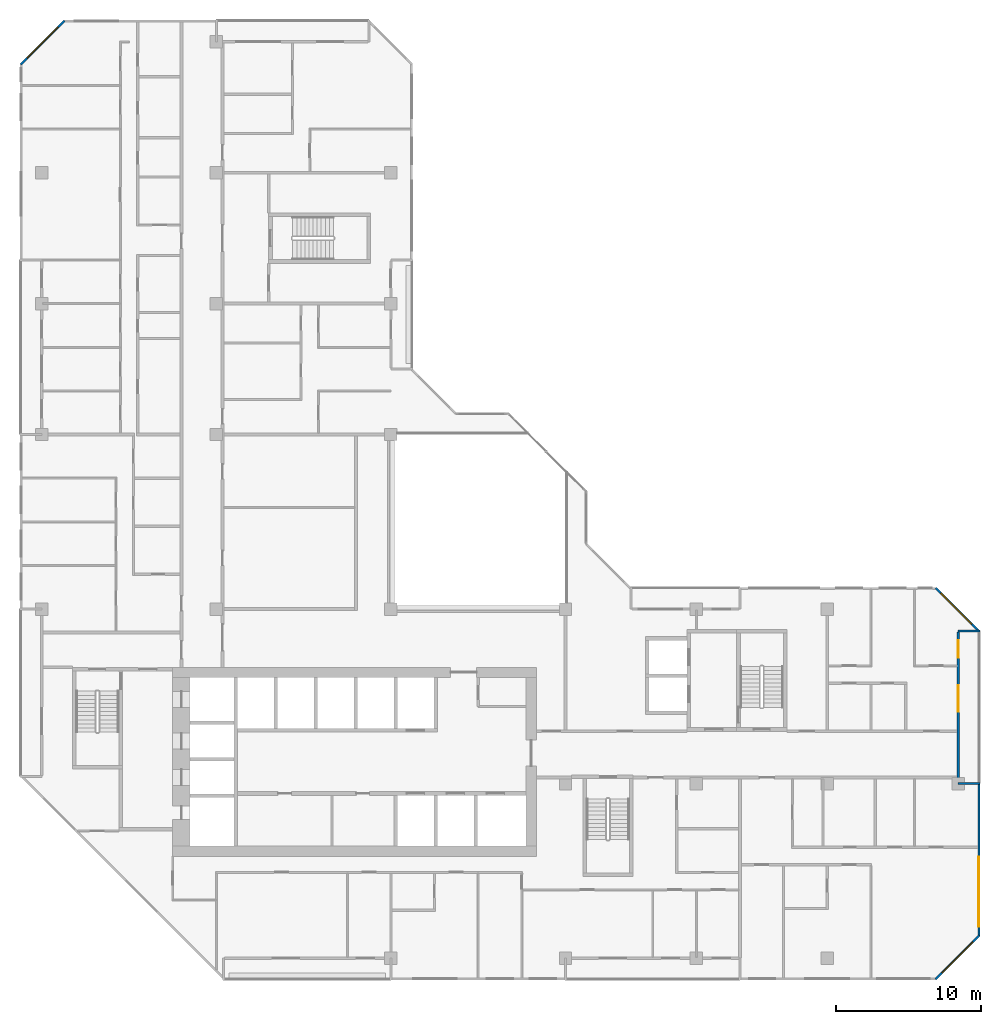
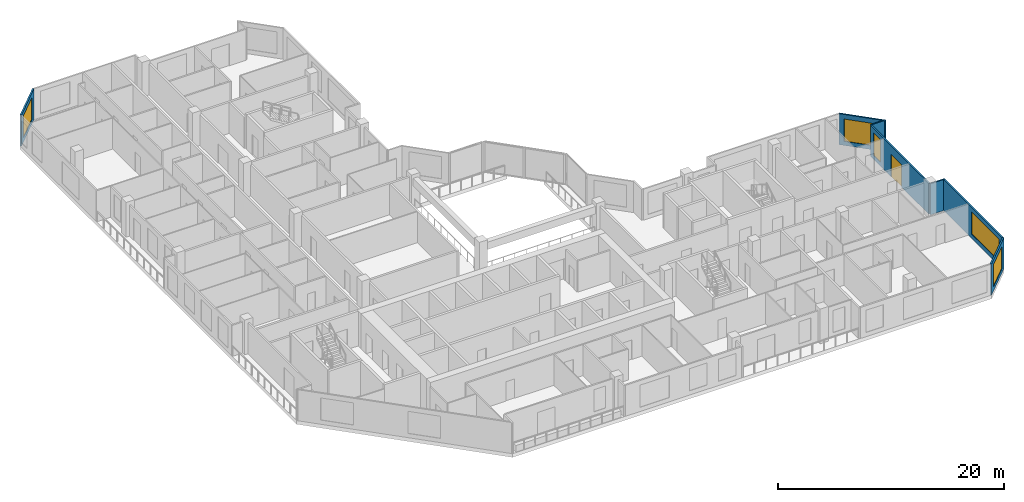
# One storey, part 12 of 15: 7 walls, 5 windows, 1 door, 6 openings.
"""IFC4 building model written with IfcOpenShell, lengths in metres."""

from ifc_helpers import new_model, si_unit, direction, frame, frame_2d, origin, place, context, subcontext, project, spatial, rectangle, extrude, material, layer, layer_set, type_object, element, fill, save


model = new_model("IFC4")

# Units and contexts
model_context = context("Model", 3, precision=1e-05, world=origin(), true_north=direction((0.0, 1.0)))
body_context = subcontext(model_context, "Body", "Model", "MODEL_VIEW")
ifc_project = project(units=[si_unit("LENGTHUNIT", "METRE"), si_unit("AREAUNIT", "SQUARE_METRE"), si_unit("VOLUMEUNIT", "CUBIC_METRE"), si_unit("PLANEANGLEUNIT", "RADIAN"), si_unit("MASSUNIT", "GRAM", prefix="KILO")], contexts=[model_context])

# Site, building, storey
site_placement = place(None, origin())
site = spatial("IfcSite", under=ifc_project, at=site_placement, CompositionType="ELEMENT")
building_placement = place(site_placement, origin())
building = spatial("IfcBuilding", under=site, at=building_placement, Name="Chenar Terraces", CompositionType="ELEMENT")
storey_placement = place(building_placement, frame((0.0, 0.0, 249.14990234375)))
storey = spatial("IfcBuildingStorey", under=building, at=storey_placement, Name="L59", CompositionType="ELEMENT", Elevation=249.14990234375)

# Wall, opening, window
ifc_material_1 = material(Name="Aluminium framed glazing", Category="aluminium")
ifc_layer_1 = layer(ifc_material_1, 0.14990234375)
ifc_layer_set_1 = layer_set([ifc_layer_1], Name="Aluminium framed glazing")
wall_type_1 = type_object("IfcWallType", Name="Glazed flush facade wall 150", PredefinedType="SOLIDWALL", material=ifc_layer_set_1)
wall_1_placement = place(storey_placement, frame((64.425048828125, 1.5, 0.0), z_axis=(0.0, 0.0, 1.0), x_axis=(0.0, 1.0, 0.0)))
wall_1 = element("IfcWall", 1, at=wall_1_placement, inside=storey, type_object=wall_type_1, Name="Glazed flush facade wall", PredefinedType="SOLIDWALL", context=body_context, shape_type="SweptSolid", body=[
    extrude(rectangle(XDim=10.425048828125, YDim=0.14990234375, at=frame_2d((5.21240234375, 0.0))), origin(), (0.0, 0.0, 1.0), 3.35009765625),
])
opening_1_placement = place(wall_1_placement, frame((0.66259765625, 0.0, 0.449951171875)))
opening_1 = element("IfcOpeningElement", 2, at=opening_1_placement, cuts=wall_1, Name="Opening W480x240", PredefinedType="OPENING", context=body_context, shape_type="SweptSolid", body=[
    extrude(rectangle(XDim=4.800048828125, YDim=2.39990234375, at=frame_2d((2.39990234375, 1.199951171875))), frame((0.0, 0.0849609375, 0.0), z_axis=(0.0, -1.0, 0.0), x_axis=(1.0, 0.0, 0.0)), (0.0, 0.0, 1.0), 0.169921875),
])
ifc_material_2 = material(Name="Low emissivity double glazing, aluminium frame", Category="aluminium")
window_type_1 = type_object("IfcWindowType", Name="Fixed light 4800 x 2400", PartitioningType="SINGLE_PANEL", PredefinedType="WINDOW", material=ifc_material_2)
window_1_placement = place(opening_1_placement, origin())
window_1 = element("IfcWindow", 3, at=window_1_placement, inside=storey, type_object=window_type_1, Name="Window", OverallHeight=2.39990234375, OverallWidth=4.800048828125, PartitioningType="SINGLE_PANEL", PredefinedType="WINDOW", context=body_context, shape_type="SweptSolid", body=[
    extrude(rectangle(XDim=4.800048828125, YDim=2.39990234375, at=frame_2d((2.39990234375, 1.199951171875))), frame((0.0, 0.030029296875, 0.0), z_axis=(0.0, -1.0, 0.0), x_axis=(1.0, 0.0, 0.0)), (0.0, 0.0, 1.0), 0.06005859375),
])
fill(opening_1, window_1)

# Wall, openings, window, door
ifc_material_3 = material(Name="Aluminium framed glazing", Category="aluminium")
ifc_layer_2 = layer(ifc_material_3, 0.14990234375)
ifc_layer_set_2 = layer_set([ifc_layer_2], Name="Aluminium framed glazing")
wall_type_2 = type_object("IfcWallType", Name="Glazed loggia back wall 150", PredefinedType="SOLIDWALL", material=ifc_layer_set_2)
wall_2_placement = place(storey_placement, frame((63.0, 12.074951171875, 0.0), z_axis=(0.0, 0.0, 1.0), x_axis=(0.0, 1.0, 0.0)))
wall_2 = element("IfcWall", 4, at=wall_2_placement, inside=storey, type_object=wall_type_2, Name="Glazed loggia back wall", PredefinedType="SOLIDWALL", context=body_context, shape_type="SweptSolid", body=[
    extrude(rectangle(XDim=10.35009765625, YDim=0.14990234375, at=frame_2d((5.175048828125, 0.0))), origin(), (0.0, 0.0, 1.0), 3.35009765625),
])
opening_2_placement = place(wall_2_placement, frame((4.875, 0.0, 0.0)))
opening_2 = element("IfcOpeningElement", 5, at=opening_2_placement, cuts=wall_2, Name="Opening DL59-G7", PredefinedType="OPENING", context=body_context, shape_type="SweptSolid", body=[
    extrude(rectangle(XDim=1.800048828125, YDim=2.39990234375, at=frame_2d((0.89990234375, 1.199951171875))), frame((0.0, 0.0849609375, 0.0), z_axis=(0.0, -1.0, 0.0), x_axis=(1.0, 0.0, 0.0)), (0.0, 0.0, 1.0), 0.169921875),
])
opening_3_placement = place(wall_2_placement, frame((8.58740234375, 0.0, 0.449951171875)))
opening_3 = element("IfcOpeningElement", 6, at=opening_3_placement, cuts=wall_2, Name="Opening W120x240", PredefinedType="OPENING", context=body_context, shape_type="SweptSolid", body=[
    extrude(rectangle(XDim=1.199951171875, YDim=2.39990234375, at=frame_2d((0.60009765625, 1.199951171875))), frame((0.0, 0.0849609375, 0.0), z_axis=(0.0, -1.0, 0.0), x_axis=(1.0, 0.0, 0.0)), (0.0, 0.0, 1.0), 0.169921875),
])
ifc_material_4 = material(Name="Low emissivity double glazing, aluminium frame", Category="aluminium")
window_type_2 = type_object("IfcWindowType", Name="Fixed light 1200 x 2400", PartitioningType="SINGLE_PANEL", PredefinedType="WINDOW", material=ifc_material_4)
window_2_placement = place(opening_3_placement, origin())
window_2 = element("IfcWindow", 7, at=window_2_placement, inside=storey, type_object=window_type_2, Name="Window", OverallHeight=2.39990234375, OverallWidth=1.199951171875, PartitioningType="SINGLE_PANEL", PredefinedType="WINDOW", context=body_context, shape_type="SweptSolid", body=[
    extrude(rectangle(XDim=1.199951171875, YDim=2.39990234375, at=frame_2d((0.60009765625, 1.199951171875))), frame((0.0, 0.030029296875, 0.0), z_axis=(0.0, -1.0, 0.0), x_axis=(1.0, 0.0, 0.0)), (0.0, 0.0, 1.0), 0.06005859375),
])
fill(opening_3, window_2)
ifc_material_5 = material(Name="Low emissivity double glazing, aluminium frame", Category="aluminium")
door_type = type_object("IfcDoorType", Name="Loggia glazed double door 1800 x 2400", OperationType="DOUBLE_DOOR_SINGLE_SWING", PredefinedType="DOOR", material=ifc_material_5)
door_placement = place(opening_2_placement, frame((1.800048828125, 0.0, 0.0), z_axis=(0.0, 0.0, 1.0), x_axis=(-1.0, 0.0, 0.0)))
door = element("IfcDoor", 8, at=door_placement, inside=storey, type_object=door_type, Name="Loggia glazed door", OperationType="DOUBLE_DOOR_SINGLE_SWING", OverallHeight=2.39990234375, OverallWidth=1.800048828125, PredefinedType="DOOR", context=body_context, shape_type="SweptSolid", body=[
    extrude(rectangle(XDim=1.800048828125, YDim=2.39990234375, at=frame_2d((0.89990234375, 1.199951171875))), frame((0.0, 0.02490234375, 0.0), z_axis=(0.0, -1.0, 0.0), x_axis=(1.0, 0.0, 0.0)), (0.0, 0.0, 1.0), 0.050048828125),
])
fill(opening_2, door)

# Walls
ifc_material_6 = material(Name="Terracotta cladding on insulated backing", Category="masonry")
ifc_layer_3 = layer(ifc_material_6, 0.14990234375)
ifc_layer_set_3 = layer_set([ifc_layer_3], Name="Terracotta cladding on insulated backing")
wall_type_3 = type_object("IfcWallType", Name="Loggia return wall 150", PredefinedType="SOLIDWALL", material=ifc_layer_set_3)
for number, where, z_axis, x_axis, name in (
    (9, (64.5, 12.0, 0.0), (0.0, 0.0, 1.0), (-1.0, 0.0, 0.0), "Loggia return wall"),
    (10, (64.5, 22.5, 0.0), (0.0, 0.0, 1.0), (-1.0, 0.0, 0.0), "Loggia return wall"),
):
    element("IfcWall", number, at=place(storey_placement, frame(where, z_axis=z_axis, x_axis=x_axis)), inside=storey, type_object=wall_type_3, Name=name, PredefinedType="SOLIDWALL", context=body_context, shape_type="SweptSolid", body=[
        extrude(rectangle(XDim=1.5, YDim=0.14990234375, at=frame_2d((0.75, 0.0))), origin(), (0.0, 0.0, 1.0), 3.35009765625),
    ])

# Wall, opening, window
ifc_material_7 = material(Name="Terracotta cladding on insulated backing", Category="masonry")
ifc_layer_4 = layer(ifc_material_7, 0.14990234375)
ifc_layer_set_4 = layer_set([ifc_layer_4], Name="Terracotta cladding on insulated backing")
wall_type_4 = type_object("IfcWallType", Name="Terracotta rainscreen wall 150", PredefinedType="SOLIDWALL", material=ifc_layer_set_4)
wall_3_placement = place(storey_placement, frame((1.552978515625, 64.447021484375, 0.0), z_axis=(0.0, 0.0, 1.0), x_axis=(-0.707106781187, -0.707106781187, 0.0)))
wall_3 = element("IfcWall", 11, at=wall_3_placement, inside=storey, type_object=wall_type_4, Name="Terracotta rainscreen wall", PredefinedType="SOLIDWALL", context=body_context, shape_type="SweptSolid", body=[
    extrude(rectangle(XDim=4.24267578125, YDim=0.14990234375, at=frame_2d((2.121337890625, 0.0))), origin(), (0.0, 0.0, 1.0), 3.35009765625),
])
opening_4_placement = place(wall_3_placement, frame((0.621337890625, 0.0, 0.449951171875)))
opening_4 = element("IfcOpeningElement", 12, at=opening_4_placement, cuts=wall_3, Name="Opening W300x240", PredefinedType="OPENING", context=body_context, shape_type="SweptSolid", body=[
    extrude(rectangle(XDim=3.0, YDim=2.39990234375, at=frame_2d((1.5, 1.199951171875))), frame((0.0, 0.0849609375, 0.0), z_axis=(0.0, -1.0, 0.0), x_axis=(1.0, 0.0, 0.0)), (0.0, 0.0, 1.0), 0.169921875),
])
ifc_material_8 = material(Name="Low emissivity double glazing, aluminium frame", Category="aluminium")
window_type_3 = type_object("IfcWindowType", Name="Fixed light 3000 x 2400", PartitioningType="SINGLE_PANEL", PredefinedType="WINDOW", material=ifc_material_8)
window_3_placement = place(opening_4_placement, origin())
window_3 = element("IfcWindow", 13, at=window_3_placement, inside=storey, type_object=window_type_3, Name="Window", OverallHeight=2.39990234375, OverallWidth=3.0, PartitioningType="SINGLE_PANEL", PredefinedType="WINDOW", context=body_context, shape_type="SweptSolid", body=[
    extrude(rectangle(XDim=3.0, YDim=2.39990234375, at=frame_2d((1.5, 1.199951171875))), frame((0.0, 0.030029296875, 0.0), z_axis=(0.0, -1.0, 0.0), x_axis=(1.0, 0.0, 0.0)), (0.0, 0.0, 1.0), 0.06005859375),
])
fill(opening_4, window_3)

wall_4_placement = place(storey_placement, frame((61.447021484375, -1.447021484375, 0.0), z_axis=(0.0, 0.0, 1.0), x_axis=(0.707106781187, 0.707106781187, 0.0)))
wall_4 = element("IfcWall", 14, at=wall_4_placement, inside=storey, type_object=wall_type_4, Name="Terracotta rainscreen wall", PredefinedType="SOLIDWALL", context=body_context, shape_type="SweptSolid", body=[
    extrude(rectangle(XDim=4.24267578125, YDim=0.14990234375, at=frame_2d((2.121337890625, 0.0))), origin(), (0.0, 0.0, 1.0), 3.35009765625),
])
opening_5_placement = place(wall_4_placement, frame((0.621337890625, 0.0, 0.449951171875)))
opening_5 = element("IfcOpeningElement", 15, at=opening_5_placement, cuts=wall_4, Name="Opening W300x240", PredefinedType="OPENING", context=body_context, shape_type="SweptSolid", body=[
    extrude(rectangle(XDim=3.0, YDim=2.39990234375, at=frame_2d((1.5, 1.199951171875))), frame((0.0, 0.0849609375, 0.0), z_axis=(0.0, -1.0, 0.0), x_axis=(1.0, 0.0, 0.0)), (0.0, 0.0, 1.0), 0.169921875),
])
window_4_placement = place(opening_5_placement, origin())
window_4 = element("IfcWindow", 16, at=window_4_placement, inside=storey, type_object=window_type_3, Name="Window", OverallHeight=2.39990234375, OverallWidth=3.0, PartitioningType="SINGLE_PANEL", PredefinedType="WINDOW", context=body_context, shape_type="SweptSolid", body=[
    extrude(rectangle(XDim=3.0, YDim=2.39990234375, at=frame_2d((1.5, 1.199951171875))), frame((0.0, 0.030029296875, 0.0), z_axis=(0.0, -1.0, 0.0), x_axis=(1.0, 0.0, 0.0)), (0.0, 0.0, 1.0), 0.06005859375),
])
fill(opening_5, window_4)

wall_5_placement = place(storey_placement, frame((64.447021484375, 22.447021484375, 0.0), z_axis=(0.0, 0.0, 1.0), x_axis=(-0.707106781187, 0.707106781187, 0.0)))
wall_5 = element("IfcWall", 17, at=wall_5_placement, inside=storey, type_object=wall_type_4, Name="Terracotta rainscreen wall", PredefinedType="SOLIDWALL", context=body_context, shape_type="SweptSolid", body=[
    extrude(rectangle(XDim=4.24267578125, YDim=0.14990234375, at=frame_2d((2.121337890625, 0.0))), origin(), (0.0, 0.0, 1.0), 3.35009765625),
])
opening_6_placement = place(wall_5_placement, frame((0.744384765625, 0.0, 0.449951171875)))
opening_6 = element("IfcOpeningElement", 18, at=opening_6_placement, cuts=wall_5, Name="Opening W300x240", PredefinedType="OPENING", context=body_context, shape_type="SweptSolid", body=[
    extrude(rectangle(XDim=3.0, YDim=2.39990234375, at=frame_2d((1.5, 1.199951171875))), frame((0.0, 0.0849609375, 0.0), z_axis=(0.0, -1.0, 0.0), x_axis=(1.0, 0.0, 0.0)), (0.0, 0.0, 1.0), 0.169921875),
])
window_5_placement = place(opening_6_placement, origin())
window_5 = element("IfcWindow", 19, at=window_5_placement, inside=storey, type_object=window_type_3, Name="Window", OverallHeight=2.39990234375, OverallWidth=3.0, PartitioningType="SINGLE_PANEL", PredefinedType="WINDOW", context=body_context, shape_type="SweptSolid", body=[
    extrude(rectangle(XDim=3.0, YDim=2.39990234375, at=frame_2d((1.5, 1.199951171875))), frame((0.0, 0.030029296875, 0.0), z_axis=(0.0, -1.0, 0.0), x_axis=(1.0, 0.0, 0.0)), (0.0, 0.0, 1.0), 0.06005859375),
])
fill(opening_6, window_5)

save(model, "model.ifc")
